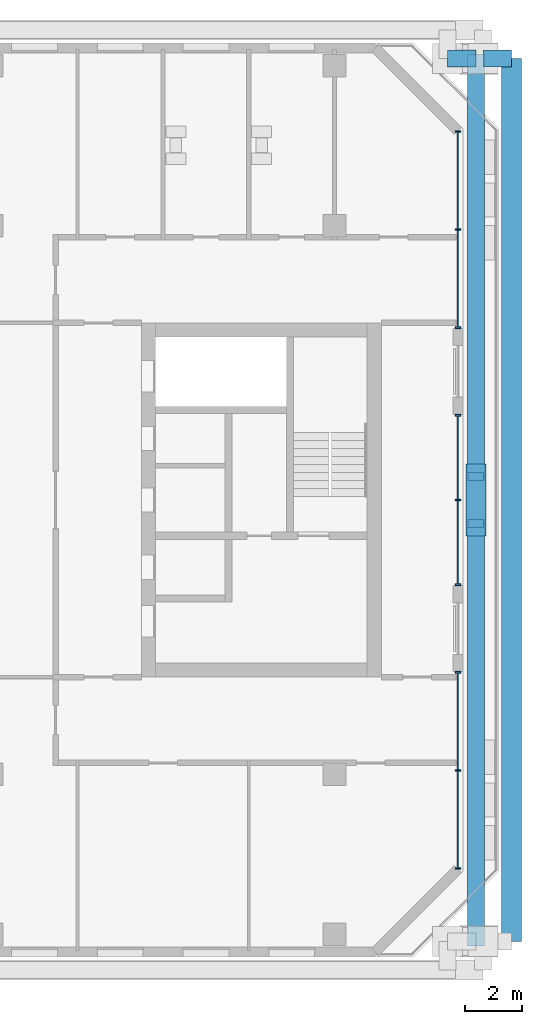
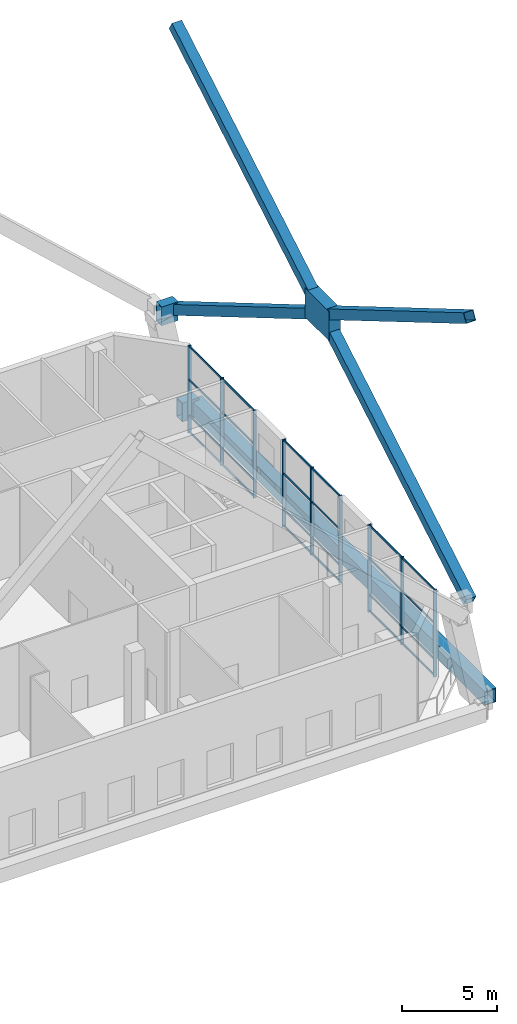
# One storey, part 6 of 20: 38 members, 3 beams, 3 elements without a shape of their own.
"""IFC4 building model written with IfcOpenShell, lengths in metres."""

from ifc_helpers import new_model, si_unit, direction, frame, origin, origin_2d, place, context, subcontext, project, spatial, rectangle, hollow_rectangle, extrude, material, material_profile, profile_set, type_object, element, aggregate, save


model = new_model("IFC4")

# Units and contexts
model_context = context("Model", 3, precision=1e-05, world=origin(), true_north=direction((0.0, 1.0)))
body_context = subcontext(model_context, "Body", "Model", "MODEL_VIEW")
ifc_project = project(units=[si_unit("LENGTHUNIT", "METRE"), si_unit("AREAUNIT", "SQUARE_METRE"), si_unit("VOLUMEUNIT", "CUBIC_METRE"), si_unit("PLANEANGLEUNIT", "RADIAN"), si_unit("MASSUNIT", "GRAM", prefix="KILO")], contexts=[model_context])

# Site, building, storey
site_placement = place(None, origin())
site = spatial("IfcSite", under=ifc_project, at=site_placement, CompositionType="ELEMENT")
building_placement = place(site_placement, origin())
building = spatial("IfcBuilding", under=site, at=building_placement, Name="Tuart Gate Housing", CompositionType="ELEMENT")
storey_placement = place(building_placement, frame((0.0, 0.0, 142.300048828125)))
storey = spatial("IfcBuildingStorey", under=building, at=storey_placement, Name="L40", CompositionType="ELEMENT", Elevation=142.300048828125)

# Member
ifc_material_1 = material(Name="Steel Grade 350", Category="steel")
ifc_material_profile_1 = material_profile(ifc_material_1, rectangle(XDim=2.537109375, YDim=1.864013671875, at=origin_2d()), Name="Brace node plate 2537 x 1864")
ifc_profile_set_1 = profile_set([ifc_material_profile_1], Name="Steel Grade 350")
member_type_1 = type_object("IfcMemberType", Name="Brace node plate 2537 x 1864", PredefinedType="PLATE", material=ifc_profile_set_1)
member_1_placement = place(storey_placement, frame((171.60498046875, 70.0, 15.300048828125), z_axis=(1.0, 0.0, 0.0), x_axis=(0.0, 1.0, 0.0)))
element("IfcMember", 1, at=member_1_placement, inside=storey, type_object=member_type_1, Name="Brace node B zone 6 east", PredefinedType="PLATE", context=body_context, shape_type="SweptSolid", body=[
    extrude(rectangle(XDim=2.537109375, YDim=1.864013671875, at=origin_2d()), origin(), (0.0, 0.0, 1.0), 0.68994140625),
])

# Beams
ifc_material_2 = material(Name="Steel Grade 350", Category="steel")
ifc_material_profile_2 = material_profile(ifc_material_2, hollow_rectangle(XDim=0.60009765625, YDim=1.199951171875, WallThickness=0.0400390625, at=origin_2d()), Name="BOX 1200x600x40")
ifc_profile_set_2 = profile_set([ifc_material_profile_2], Name="Steel Grade 350")
beam_type_1 = type_object("IfcBeamType", Name="Brace shoe BOX 1200x600x40", PredefinedType="BEAM", material=ifc_profile_set_2)
for number, where, z_axis, x_axis, name in (
    (2, (172.199951171875, 85.449951171875, -0.400146484375), (1.0, 0.0, 0.0), (0.0, 1.0, 0.0), "Mega tie beam B node 5 east shoe 1 L40"),
    (3, (170.949951171875, 85.449951171875, 6.199951171875), (1.0, 0.0, 0.0), (0.0, 1.0, 0.0), "Mega brace shoe B zone 6 east cross 2"),
):
    element("IfcBeam", number, at=place(storey_placement, frame(where, z_axis=z_axis, x_axis=x_axis)), inside=storey, type_object=beam_type_1, Name=name, PredefinedType="BEAM", context=body_context, shape_type="SweptSolid", body=[
        extrude(hollow_rectangle(XDim=0.60009765625, YDim=1.199951171875, WallThickness=0.0400390625, at=origin_2d()), origin(), (0.0, 0.0, 1.0), 1.0),
    ])

# Members
ifc_material_3 = material(Name="Steel Grade 350", Category="steel")
ifc_material_profile_3 = material_profile(ifc_material_3, hollow_rectangle(XDim=0.60009765625, YDim=0.60009765625, WallThickness=0.030029296875, at=origin_2d()), Name="BOX 600x600x30")
ifc_profile_set_3 = profile_set([ifc_material_profile_3], Name="Steel Grade 350")
member_type_2 = type_object("IfcMemberType", Name="Mega brace BOX 600x600x30", PredefinedType="BRACE", material=ifc_profile_set_3)
for number, where, z_axis, x_axis, name in (
    (4, (171.949951171875, 54.550048828125, 6.199951171875), (0.0, 0.861644676374, 0.507512021214), (-1.0, 0.0, 0.0), "Mega brace B zone 6 east cross 1 a"),
    (5, (171.949951171875, 70.818603515625, 15.781982421875), (0.0, 0.861644676374, 0.507512021214), (-1.0, 0.0, 0.0), "Mega brace B zone 6 east cross 1 b"),
    (6, (171.949951171875, 85.449951171875, 6.199951171875), (0.0, -0.861644676374, 0.507512021214), (1.0, 0.0, 0.0), "Mega brace B zone 6 east cross 2 a"),
    (7, (171.949951171875, 69.181396484375, 15.781982421875), (0.0, -0.861644676374, 0.507512021214), (1.0, 0.0, 0.0), "Mega brace B zone 6 east cross 2 b"),
):
    element("IfcMember", number, at=place(storey_placement, frame(where, z_axis=z_axis, x_axis=x_axis)), inside=storey, type_object=member_type_2, Name=name, PredefinedType="BRACE", context=body_context, shape_type="SweptSolid", body=[
        extrude(hollow_rectangle(XDim=0.60009765625, YDim=0.60009765625, WallThickness=0.030029296875, at=origin_2d()), origin(), (0.0, 0.0, 1.0), 16.980712890625),
    ])

# Curtain wall, members
ifc_material_4 = material(Name="Aluminium and clear glass", Category="aluminium")
curtain_wall_type = type_object("IfcCurtainWallType", Name="Sky garden front glazing", PredefinedType="USERDEFINED", material=ifc_material_4)
curtain_wall_1_placement = place(storey_placement, origin())
curtain_wall_1 = element("IfcCurtainWall", 8, at=curtain_wall_1_placement, inside=storey, type_object=curtain_wall_type, Name="Sky garden front glazing B-E L40", ObjectType="SKY GARDEN FRONT GLAZING", PredefinedType="USERDEFINED")
ifc_material_5 = material(Name="Anodised aluminium", Category="aluminium")
ifc_material_profile_4 = material_profile(ifc_material_5, rectangle(XDim=0.06005859375, YDim=0.199951171875, at=origin_2d()), Name="60x200")
ifc_profile_set_4 = profile_set([ifc_material_profile_4], Name="Anodised aluminium")
member_type_3 = type_object("IfcMemberType", Name="Mullion 60 x 200", PredefinedType="MULLION", material=ifc_profile_set_4)
member_2_placement = place(storey_placement, frame((171.320068359375, 57.1044921875, 0.0), z_axis=(0.0, 0.0, 1.0), x_axis=(0.0, 1.0, 0.0)))
member_2 = element("IfcMember", 9, at=member_2_placement, type_object=member_type_3, Name="CW4 mullion 1", PredefinedType="MULLION", context=body_context, shape_type="SweptSolid", body=[
    extrude(rectangle(XDim=0.06005859375, YDim=0.199951171875, at=origin_2d()), origin(), (0.0, 0.0, 1.0), 5.599853515625),
])
member_3_placement = place(storey_placement, frame((171.320068359375, 60.537353515625, 0.0), z_axis=(0.0, 0.0, 1.0), x_axis=(0.0, 1.0, 0.0)))
member_3 = element("IfcMember", 10, at=member_3_placement, type_object=member_type_3, Name="CW4 mullion 2", PredefinedType="MULLION", context=body_context, shape_type="SweptSolid", body=[
    extrude(rectangle(XDim=0.06005859375, YDim=0.199951171875, at=origin_2d()), origin(), (0.0, 0.0, 1.0), 5.599853515625),
])
member_4_placement = place(storey_placement, frame((171.320068359375, 63.969970703125, 0.0), z_axis=(0.0, 0.0, 1.0), x_axis=(0.0, 1.0, 0.0)))
member_4 = element("IfcMember", 11, at=member_4_placement, type_object=member_type_3, Name="CW4 mullion 3", PredefinedType="MULLION", context=body_context, shape_type="SweptSolid", body=[
    extrude(rectangle(XDim=0.06005859375, YDim=0.199951171875, at=origin_2d()), origin(), (0.0, 0.0, 1.0), 5.599853515625),
])

curtain_wall_2_placement = place(storey_placement, origin())
curtain_wall_2 = element("IfcCurtainWall", 12, at=curtain_wall_2_placement, inside=storey, type_object=curtain_wall_type, Name="Sky garden front glazing B-E L40", ObjectType="SKY GARDEN FRONT GLAZING", PredefinedType="USERDEFINED")
member_5_placement = place(storey_placement, frame((171.320068359375, 67.030029296875, 0.0), z_axis=(0.0, 0.0, 1.0), x_axis=(0.0, 1.0, 0.0)))
member_5 = element("IfcMember", 13, at=member_5_placement, type_object=member_type_3, Name="CW4 mullion 1", PredefinedType="MULLION", context=body_context, shape_type="SweptSolid", body=[
    extrude(rectangle(XDim=0.06005859375, YDim=0.199951171875, at=origin_2d()), origin(), (0.0, 0.0, 1.0), 5.599853515625),
])
member_6_placement = place(storey_placement, frame((171.320068359375, 70.0, 0.0), z_axis=(0.0, 0.0, 1.0), x_axis=(0.0, 1.0, 0.0)))
member_6 = element("IfcMember", 14, at=member_6_placement, type_object=member_type_3, Name="CW4 mullion 2", PredefinedType="MULLION", context=body_context, shape_type="SweptSolid", body=[
    extrude(rectangle(XDim=0.06005859375, YDim=0.199951171875, at=origin_2d()), origin(), (0.0, 0.0, 1.0), 5.599853515625),
])
member_7_placement = place(storey_placement, frame((171.320068359375, 72.969970703125, 0.0), z_axis=(0.0, 0.0, 1.0), x_axis=(0.0, 1.0, 0.0)))
member_7 = element("IfcMember", 15, at=member_7_placement, type_object=member_type_3, Name="CW4 mullion 3", PredefinedType="MULLION", context=body_context, shape_type="SweptSolid", body=[
    extrude(rectangle(XDim=0.06005859375, YDim=0.199951171875, at=origin_2d()), origin(), (0.0, 0.0, 1.0), 5.599853515625),
])

curtain_wall_3_placement = place(storey_placement, origin())
curtain_wall_3 = element("IfcCurtainWall", 16, at=curtain_wall_3_placement, inside=storey, type_object=curtain_wall_type, Name="Sky garden front glazing B-E L40", ObjectType="SKY GARDEN FRONT GLAZING", PredefinedType="USERDEFINED")
member_8_placement = place(storey_placement, frame((171.320068359375, 76.030029296875, 0.0), z_axis=(0.0, 0.0, 1.0), x_axis=(0.0, 1.0, 0.0)))
member_8 = element("IfcMember", 17, at=member_8_placement, type_object=member_type_3, Name="CW4 mullion 1", PredefinedType="MULLION", context=body_context, shape_type="SweptSolid", body=[
    extrude(rectangle(XDim=0.06005859375, YDim=0.199951171875, at=origin_2d()), origin(), (0.0, 0.0, 1.0), 5.599853515625),
])
member_9_placement = place(storey_placement, frame((171.320068359375, 79.462646484375, 0.0), z_axis=(0.0, 0.0, 1.0), x_axis=(0.0, 1.0, 0.0)))
member_9 = element("IfcMember", 18, at=member_9_placement, type_object=member_type_3, Name="CW4 mullion 2", PredefinedType="MULLION", context=body_context, shape_type="SweptSolid", body=[
    extrude(rectangle(XDim=0.06005859375, YDim=0.199951171875, at=origin_2d()), origin(), (0.0, 0.0, 1.0), 5.599853515625),
])
member_10_placement = place(storey_placement, frame((171.320068359375, 82.8955078125, 0.0), z_axis=(0.0, 0.0, 1.0), x_axis=(0.0, 1.0, 0.0)))
member_10 = element("IfcMember", 19, at=member_10_placement, type_object=member_type_3, Name="CW4 mullion 3", PredefinedType="MULLION", context=body_context, shape_type="SweptSolid", body=[
    extrude(rectangle(XDim=0.06005859375, YDim=0.199951171875, at=origin_2d()), origin(), (0.0, 0.0, 1.0), 5.599853515625),
])

# Beam
ifc_material_6 = material(Name="Steel Grade 350", Category="steel")
ifc_material_profile_5 = material_profile(ifc_material_6, hollow_rectangle(XDim=0.699951171875, YDim=0.89990234375, WallThickness=0.0400390625, at=origin_2d()), Name="BOX 900x700x40")
ifc_profile_set_5 = profile_set([ifc_material_profile_5], Name="Steel Grade 350")
beam_type_2 = type_object("IfcBeamType", Name="Tie beam BOX 900x700x40", PredefinedType="BEAM", material=ifc_profile_set_5)
beam_placement = place(storey_placement, frame((173.199951171875, 54.550048828125, -0.400146484375), z_axis=(0.0, 1.0, 0.0), x_axis=(-1.0, 0.0, 0.0)))
element("IfcBeam", 20, at=beam_placement, inside=storey, type_object=beam_type_2, Name="Mega tie beam B node 5 east L40", PredefinedType="BEAM", context=body_context, shape_type="SweptSolid", body=[
    extrude(hollow_rectangle(XDim=0.699951171875, YDim=0.89990234375, WallThickness=0.0400390625, at=origin_2d()), origin(), (0.0, 0.0, 1.0), 30.89990234375),
])

# Member
ifc_material_7 = material(Name="Anodised aluminium", Category="aluminium")
ifc_material_profile_6 = material_profile(ifc_material_7, rectangle(XDim=0.06005859375, YDim=0.1201171875, at=origin_2d()), Name="60x120")
ifc_profile_set_6 = profile_set([ifc_material_profile_6], Name="Anodised aluminium")
member_type_4 = type_object("IfcMemberType", Name="Transom 60 x 120", PredefinedType="USERDEFINED", material=ifc_profile_set_6)
member_11_placement = place(storey_placement, frame((171.320068359375, 57.134521484375, 0.06005859375), z_axis=(0.0, 1.0, 0.0), x_axis=(-1.0, 0.0, 0.0)))
member_11 = element("IfcMember", 21, at=member_11_placement, type_object=member_type_4, Name="CW4 transom 1.1", ObjectType="TRANSOM", PredefinedType="USERDEFINED", context=body_context, shape_type="SweptSolid", body=[
    extrude(rectangle(XDim=0.06005859375, YDim=0.1201171875, at=origin_2d()), origin(), (0.0, 0.0, 1.0), 3.372802734375),
])

member_12_placement = place(storey_placement, frame((171.320068359375, 57.134521484375, 1.099853515625), z_axis=(0.0, 1.0, 0.0), x_axis=(-1.0, 0.0, 0.0)))
member_12 = element("IfcMember", 22, at=member_12_placement, type_object=member_type_4, Name="CW4 transom 1.2", ObjectType="TRANSOM", PredefinedType="USERDEFINED", context=body_context, shape_type="SweptSolid", body=[
    extrude(rectangle(XDim=0.06005859375, YDim=0.1201171875, at=origin_2d()), origin(), (0.0, 0.0, 1.0), 3.372802734375),
])

member_13_placement = place(storey_placement, frame((171.320068359375, 57.134521484375, 3.39990234375), z_axis=(0.0, 1.0, 0.0), x_axis=(-1.0, 0.0, 0.0)))
member_13 = element("IfcMember", 23, at=member_13_placement, type_object=member_type_4, Name="CW4 transom 1.3", ObjectType="TRANSOM", PredefinedType="USERDEFINED", context=body_context, shape_type="SweptSolid", body=[
    extrude(rectangle(XDim=0.06005859375, YDim=0.1201171875, at=origin_2d()), origin(), (0.0, 0.0, 1.0), 3.372802734375),
])

member_14_placement = place(storey_placement, frame((171.320068359375, 57.134521484375, 5.5400390625), z_axis=(0.0, 1.0, 0.0), x_axis=(-1.0, 0.0, 0.0)))
member_14 = element("IfcMember", 24, at=member_14_placement, type_object=member_type_4, Name="CW4 transom 1.4", ObjectType="TRANSOM", PredefinedType="USERDEFINED", context=body_context, shape_type="SweptSolid", body=[
    extrude(rectangle(XDim=0.06005859375, YDim=0.1201171875, at=origin_2d()), origin(), (0.0, 0.0, 1.0), 3.372802734375),
])

member_15_placement = place(storey_placement, frame((171.320068359375, 60.5673828125, 0.06005859375), z_axis=(0.0, 1.0, 0.0), x_axis=(-1.0, 0.0, 0.0)))
member_15 = element("IfcMember", 25, at=member_15_placement, type_object=member_type_4, Name="CW4 transom 2.1", ObjectType="TRANSOM", PredefinedType="USERDEFINED", context=body_context, shape_type="SweptSolid", body=[
    extrude(rectangle(XDim=0.06005859375, YDim=0.1201171875, at=origin_2d()), origin(), (0.0, 0.0, 1.0), 3.37255859375),
])

member_16_placement = place(storey_placement, frame((171.320068359375, 60.5673828125, 1.099853515625), z_axis=(0.0, 1.0, 0.0), x_axis=(-1.0, 0.0, 0.0)))
member_16 = element("IfcMember", 26, at=member_16_placement, type_object=member_type_4, Name="CW4 transom 2.2", ObjectType="TRANSOM", PredefinedType="USERDEFINED", context=body_context, shape_type="SweptSolid", body=[
    extrude(rectangle(XDim=0.06005859375, YDim=0.1201171875, at=origin_2d()), origin(), (0.0, 0.0, 1.0), 3.37255859375),
])

member_17_placement = place(storey_placement, frame((171.320068359375, 60.5673828125, 3.39990234375), z_axis=(0.0, 1.0, 0.0), x_axis=(-1.0, 0.0, 0.0)))
member_17 = element("IfcMember", 27, at=member_17_placement, type_object=member_type_4, Name="CW4 transom 2.3", ObjectType="TRANSOM", PredefinedType="USERDEFINED", context=body_context, shape_type="SweptSolid", body=[
    extrude(rectangle(XDim=0.06005859375, YDim=0.1201171875, at=origin_2d()), origin(), (0.0, 0.0, 1.0), 3.37255859375),
])

member_18_placement = place(storey_placement, frame((171.320068359375, 60.5673828125, 5.5400390625), z_axis=(0.0, 1.0, 0.0), x_axis=(-1.0, 0.0, 0.0)))
member_18 = element("IfcMember", 28, at=member_18_placement, type_object=member_type_4, Name="CW4 transom 2.4", ObjectType="TRANSOM", PredefinedType="USERDEFINED", context=body_context, shape_type="SweptSolid", body=[
    extrude(rectangle(XDim=0.06005859375, YDim=0.1201171875, at=origin_2d()), origin(), (0.0, 0.0, 1.0), 3.37255859375),
])

aggregate(curtain_wall_1, [member_2, member_3, member_4, member_11, member_12, member_13, member_14, member_15, member_16, member_17, member_18])

member_19_placement = place(storey_placement, frame((171.320068359375, 67.06005859375, 0.06005859375), z_axis=(0.0, 1.0, 0.0), x_axis=(-1.0, 0.0, 0.0)))
member_19 = element("IfcMember", 29, at=member_19_placement, type_object=member_type_4, Name="CW4 transom 1.1", ObjectType="TRANSOM", PredefinedType="USERDEFINED", context=body_context, shape_type="SweptSolid", body=[
    extrude(rectangle(XDim=0.06005859375, YDim=0.1201171875, at=origin_2d()), origin(), (0.0, 0.0, 1.0), 2.909912109375),
])

member_20_placement = place(storey_placement, frame((171.320068359375, 67.06005859375, 1.099853515625), z_axis=(0.0, 1.0, 0.0), x_axis=(-1.0, 0.0, 0.0)))
member_20 = element("IfcMember", 30, at=member_20_placement, type_object=member_type_4, Name="CW4 transom 1.2", ObjectType="TRANSOM", PredefinedType="USERDEFINED", context=body_context, shape_type="SweptSolid", body=[
    extrude(rectangle(XDim=0.06005859375, YDim=0.1201171875, at=origin_2d()), origin(), (0.0, 0.0, 1.0), 2.909912109375),
])

member_21_placement = place(storey_placement, frame((171.320068359375, 67.06005859375, 3.39990234375), z_axis=(0.0, 1.0, 0.0), x_axis=(-1.0, 0.0, 0.0)))
member_21 = element("IfcMember", 31, at=member_21_placement, type_object=member_type_4, Name="CW4 transom 1.3", ObjectType="TRANSOM", PredefinedType="USERDEFINED", context=body_context, shape_type="SweptSolid", body=[
    extrude(rectangle(XDim=0.06005859375, YDim=0.1201171875, at=origin_2d()), origin(), (0.0, 0.0, 1.0), 2.909912109375),
])

member_22_placement = place(storey_placement, frame((171.320068359375, 67.06005859375, 5.5400390625), z_axis=(0.0, 1.0, 0.0), x_axis=(-1.0, 0.0, 0.0)))
member_22 = element("IfcMember", 32, at=member_22_placement, type_object=member_type_4, Name="CW4 transom 1.4", ObjectType="TRANSOM", PredefinedType="USERDEFINED", context=body_context, shape_type="SweptSolid", body=[
    extrude(rectangle(XDim=0.06005859375, YDim=0.1201171875, at=origin_2d()), origin(), (0.0, 0.0, 1.0), 2.909912109375),
])

member_23_placement = place(storey_placement, frame((171.320068359375, 70.030029296875, 0.06005859375), z_axis=(0.0, 1.0, 0.0), x_axis=(-1.0, 0.0, 0.0)))
member_23 = element("IfcMember", 33, at=member_23_placement, type_object=member_type_4, Name="CW4 transom 2.1", ObjectType="TRANSOM", PredefinedType="USERDEFINED", context=body_context, shape_type="SweptSolid", body=[
    extrude(rectangle(XDim=0.06005859375, YDim=0.1201171875, at=origin_2d()), origin(), (0.0, 0.0, 1.0), 2.909912109375),
])

member_24_placement = place(storey_placement, frame((171.320068359375, 70.030029296875, 1.099853515625), z_axis=(0.0, 1.0, 0.0), x_axis=(-1.0, 0.0, 0.0)))
member_24 = element("IfcMember", 34, at=member_24_placement, type_object=member_type_4, Name="CW4 transom 2.2", ObjectType="TRANSOM", PredefinedType="USERDEFINED", context=body_context, shape_type="SweptSolid", body=[
    extrude(rectangle(XDim=0.06005859375, YDim=0.1201171875, at=origin_2d()), origin(), (0.0, 0.0, 1.0), 2.909912109375),
])

member_25_placement = place(storey_placement, frame((171.320068359375, 70.030029296875, 3.39990234375), z_axis=(0.0, 1.0, 0.0), x_axis=(-1.0, 0.0, 0.0)))
member_25 = element("IfcMember", 35, at=member_25_placement, type_object=member_type_4, Name="CW4 transom 2.3", ObjectType="TRANSOM", PredefinedType="USERDEFINED", context=body_context, shape_type="SweptSolid", body=[
    extrude(rectangle(XDim=0.06005859375, YDim=0.1201171875, at=origin_2d()), origin(), (0.0, 0.0, 1.0), 2.909912109375),
])

member_26_placement = place(storey_placement, frame((171.320068359375, 70.030029296875, 5.5400390625), z_axis=(0.0, 1.0, 0.0), x_axis=(-1.0, 0.0, 0.0)))
member_26 = element("IfcMember", 36, at=member_26_placement, type_object=member_type_4, Name="CW4 transom 2.4", ObjectType="TRANSOM", PredefinedType="USERDEFINED", context=body_context, shape_type="SweptSolid", body=[
    extrude(rectangle(XDim=0.06005859375, YDim=0.1201171875, at=origin_2d()), origin(), (0.0, 0.0, 1.0), 2.909912109375),
])

aggregate(curtain_wall_2, [member_5, member_6, member_7, member_19, member_20, member_21, member_22, member_23, member_24, member_25, member_26])

member_27_placement = place(storey_placement, frame((171.320068359375, 76.06005859375, 0.06005859375), z_axis=(0.0, 1.0, 0.0), x_axis=(-1.0, 0.0, 0.0)))
member_27 = element("IfcMember", 37, at=member_27_placement, type_object=member_type_4, Name="CW4 transom 1.1", ObjectType="TRANSOM", PredefinedType="USERDEFINED", context=body_context, shape_type="SweptSolid", body=[
    extrude(rectangle(XDim=0.06005859375, YDim=0.1201171875, at=origin_2d()), origin(), (0.0, 0.0, 1.0), 3.372802734375),
])

member_28_placement = place(storey_placement, frame((171.320068359375, 76.06005859375, 1.099853515625), z_axis=(0.0, 1.0, 0.0), x_axis=(-1.0, 0.0, 0.0)))
member_28 = element("IfcMember", 38, at=member_28_placement, type_object=member_type_4, Name="CW4 transom 1.2", ObjectType="TRANSOM", PredefinedType="USERDEFINED", context=body_context, shape_type="SweptSolid", body=[
    extrude(rectangle(XDim=0.06005859375, YDim=0.1201171875, at=origin_2d()), origin(), (0.0, 0.0, 1.0), 3.372802734375),
])

member_29_placement = place(storey_placement, frame((171.320068359375, 76.06005859375, 3.39990234375), z_axis=(0.0, 1.0, 0.0), x_axis=(-1.0, 0.0, 0.0)))
member_29 = element("IfcMember", 39, at=member_29_placement, type_object=member_type_4, Name="CW4 transom 1.3", ObjectType="TRANSOM", PredefinedType="USERDEFINED", context=body_context, shape_type="SweptSolid", body=[
    extrude(rectangle(XDim=0.06005859375, YDim=0.1201171875, at=origin_2d()), origin(), (0.0, 0.0, 1.0), 3.372802734375),
])

member_30_placement = place(storey_placement, frame((171.320068359375, 76.06005859375, 5.5400390625), z_axis=(0.0, 1.0, 0.0), x_axis=(-1.0, 0.0, 0.0)))
member_30 = element("IfcMember", 40, at=member_30_placement, type_object=member_type_4, Name="CW4 transom 1.4", ObjectType="TRANSOM", PredefinedType="USERDEFINED", context=body_context, shape_type="SweptSolid", body=[
    extrude(rectangle(XDim=0.06005859375, YDim=0.1201171875, at=origin_2d()), origin(), (0.0, 0.0, 1.0), 3.372802734375),
])

member_31_placement = place(storey_placement, frame((171.320068359375, 79.49267578125, 0.06005859375), z_axis=(0.0, 1.0, 0.0), x_axis=(-1.0, 0.0, 0.0)))
member_31 = element("IfcMember", 41, at=member_31_placement, type_object=member_type_4, Name="CW4 transom 2.1", ObjectType="TRANSOM", PredefinedType="USERDEFINED", context=body_context, shape_type="SweptSolid", body=[
    extrude(rectangle(XDim=0.06005859375, YDim=0.1201171875, at=origin_2d()), origin(), (0.0, 0.0, 1.0), 3.372802734375),
])

member_32_placement = place(storey_placement, frame((171.320068359375, 79.49267578125, 1.099853515625), z_axis=(0.0, 1.0, 0.0), x_axis=(-1.0, 0.0, 0.0)))
member_32 = element("IfcMember", 42, at=member_32_placement, type_object=member_type_4, Name="CW4 transom 2.2", ObjectType="TRANSOM", PredefinedType="USERDEFINED", context=body_context, shape_type="SweptSolid", body=[
    extrude(rectangle(XDim=0.06005859375, YDim=0.1201171875, at=origin_2d()), origin(), (0.0, 0.0, 1.0), 3.372802734375),
])

member_33_placement = place(storey_placement, frame((171.320068359375, 79.49267578125, 3.39990234375), z_axis=(0.0, 1.0, 0.0), x_axis=(-1.0, 0.0, 0.0)))
member_33 = element("IfcMember", 43, at=member_33_placement, type_object=member_type_4, Name="CW4 transom 2.3", ObjectType="TRANSOM", PredefinedType="USERDEFINED", context=body_context, shape_type="SweptSolid", body=[
    extrude(rectangle(XDim=0.06005859375, YDim=0.1201171875, at=origin_2d()), origin(), (0.0, 0.0, 1.0), 3.372802734375),
])

member_34_placement = place(storey_placement, frame((171.320068359375, 79.49267578125, 5.5400390625), z_axis=(0.0, 1.0, 0.0), x_axis=(-1.0, 0.0, 0.0)))
member_34 = element("IfcMember", 44, at=member_34_placement, type_object=member_type_4, Name="CW4 transom 2.4", ObjectType="TRANSOM", PredefinedType="USERDEFINED", context=body_context, shape_type="SweptSolid", body=[
    extrude(rectangle(XDim=0.06005859375, YDim=0.1201171875, at=origin_2d()), origin(), (0.0, 0.0, 1.0), 3.372802734375),
])

aggregate(curtain_wall_3, [member_8, member_9, member_10, member_27, member_28, member_29, member_30, member_31, member_32, member_33, member_34])

save(model, "model.ifc")
